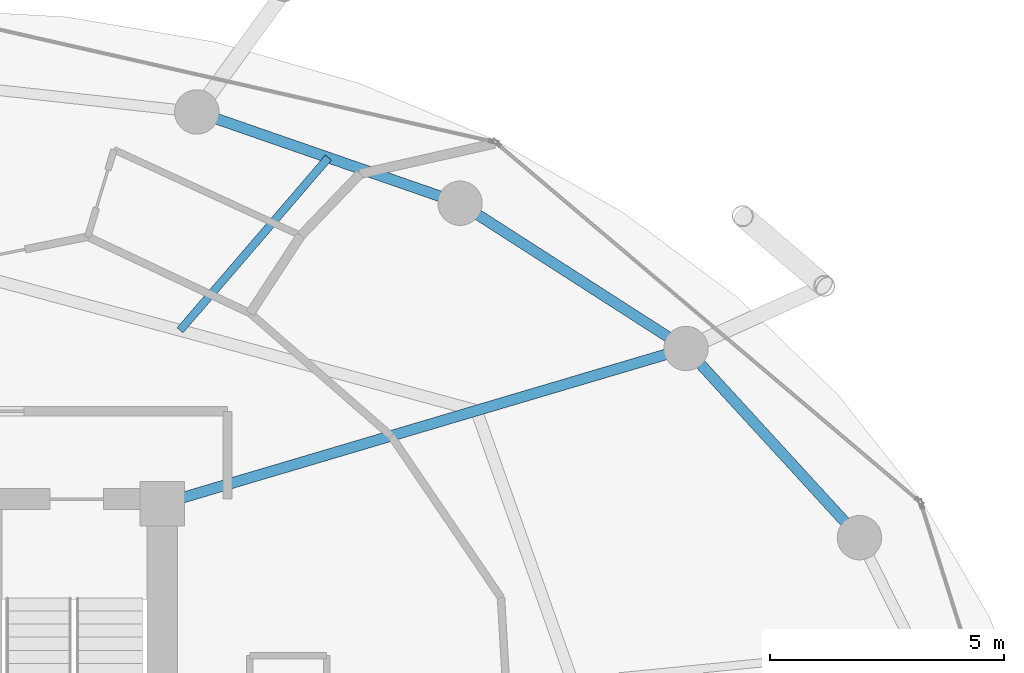
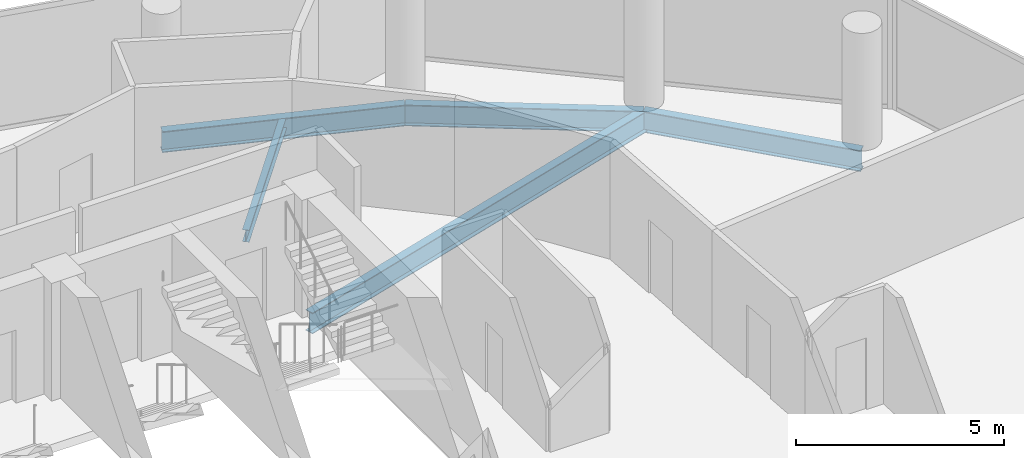
# One storey, part 18 of 26: 5 beams.
"""IFC4 building model written with IfcOpenShell, lengths in metres."""

from ifc_helpers import new_model, si_unit, direction, frame, origin, origin_2d, place, context, subcontext, project, spatial, i_section, extrude, material, material_profile, profile_set, type_object, element, save


model = new_model("IFC4")

# Units and contexts
model_context = context("Model", 3, precision=1e-05, world=origin(), true_north=direction((0.0, 1.0)))
body_context = subcontext(model_context, "Body", "Model", "MODEL_VIEW")
ifc_project = project(units=[si_unit("LENGTHUNIT", "METRE"), si_unit("AREAUNIT", "SQUARE_METRE"), si_unit("VOLUMEUNIT", "CUBIC_METRE"), si_unit("PLANEANGLEUNIT", "RADIAN"), si_unit("MASSUNIT", "GRAM", prefix="KILO")], contexts=[model_context])

# Site, building, storey
site_placement = place(None, origin())
site = spatial("IfcSite", under=ifc_project, at=site_placement, CompositionType="ELEMENT")
building_placement = place(site_placement, origin())
building = spatial("IfcBuilding", under=site, at=building_placement, Name="Nuhasar Tower", CompositionType="ELEMENT")
storey_placement = place(building_placement, frame((0.0, 0.0, 118.25)))
storey = spatial("IfcBuildingStorey", under=building, at=storey_placement, Name="L27", CompositionType="ELEMENT", Elevation=118.25)

# Beams
ifc_material = material(Name="Steel S355", Category="steel")
ifc_material_profile_1 = material_profile(ifc_material, i_section(OverallWidth=0.1708984375, OverallDepth=0.35205078125, WebThickness=0.0068359375, FlangeThickness=0.009765625, at=origin_2d()), Name="W14X30")
ifc_profile_set_1 = profile_set([ifc_material_profile_1], Name="Steel S355")
beam_type_1 = type_object("IfcBeamType", Name="BM-JST-W14X30", PredefinedType="JOIST", material=ifc_profile_set_1)
beam_1_placement = place(storey_placement, frame((44.68408203125, 41.011962890625, -0.426025390625), z_axis=(0.651690621509, 0.758484893612, 0.0), x_axis=(-0.758484893612, 0.651690621509, 0.0)))
element("IfcBeam", 1, at=beam_1_placement, inside=storey, type_object=beam_type_1, Name="L27 Secondary Floor Joist 05", PredefinedType="JOIST", context=body_context, shape_type="SweptSolid", body=[
    extrude(i_section(OverallWidth=0.1708984375, OverallDepth=0.35205078125, WebThickness=0.0068359375, FlangeThickness=0.009765625, at=origin_2d()), origin(), (0.0, 0.0, 1.0), 4.87158203125),
])
ifc_material_profile_2 = material_profile(ifc_material, i_section(OverallWidth=0.22900390625, OverallDepth=0.612060546875, WebThickness=0.011962890625, FlangeThickness=0.01953125, at=origin_2d()), Name="W24X84")
ifc_profile_set_2 = profile_set([ifc_material_profile_2], Name="Steel S355")
beam_type_2 = type_object("IfcBeamType", Name="BM-RAD-W24X84", PredefinedType="BEAM", material=ifc_profile_set_2)
beam_2_placement = place(storey_placement, frame((44.300048828125, 37.300048828125, -0.555908203125), z_axis=(0.958746492721, 0.284262489076, 0.0), x_axis=(-0.284262489076, 0.958746492721, 0.0)))
element("IfcBeam", 2, at=beam_2_placement, inside=storey, type_object=beam_type_2, Name="L27 Radial Floor Girder 05", PredefinedType="BEAM", context=body_context, shape_type="SweptSolid", body=[
    extrude(i_section(OverallWidth=0.22900390625, OverallDepth=0.612060546875, WebThickness=0.011962890625, FlangeThickness=0.01953125, at=origin_2d()), origin(), (0.0, 0.0, 1.0), 11.693359375),
])
ifc_material_profile_3 = material_profile(ifc_material, i_section(OverallWidth=0.22998046875, OverallDepth=0.616943359375, WebThickness=0.01318359375, FlangeThickness=0.022216796875, at=origin_2d()), Name="W24X94")
ifc_profile_set_3 = profile_set([ifc_material_profile_3], Name="Steel S355")
beam_type_3 = type_object("IfcBeamType", Name="BM-RING-W24X94", PredefinedType="SPANDREL", material=ifc_profile_set_3)
beam_3_placement = place(storey_placement, frame((59.221923828125, 36.574951171875, -0.55810546875), z_axis=(-0.675654174897, 0.737218716491, 0.0), x_axis=(-0.737218716491, -0.675654174897, 0.0)))
element("IfcBeam", 3, at=beam_3_placement, inside=storey, type_object=beam_type_3, Name="L27 Perimeter Ring Spandrel 03", PredefinedType="SPANDREL", context=body_context, shape_type="SweptSolid", body=[
    extrude(i_section(OverallWidth=0.22998046875, OverallDepth=0.616943359375, WebThickness=0.01318359375, FlangeThickness=0.022216796875, at=origin_2d()), origin(), (0.0, 0.0, 1.0), 5.492431640625),
])
beam_4_placement = place(storey_placement, frame((55.510986328125, 40.6240234375, -0.55810546875), z_axis=(-0.841327486207, 0.540525726448, 0.0), x_axis=(-0.540525726448, -0.841327486207, 0.0)))
element("IfcBeam", 4, at=beam_4_placement, inside=storey, type_object=beam_type_3, Name="L27 Perimeter Ring Spandrel 04", PredefinedType="SPANDREL", context=body_context, shape_type="SweptSolid", body=[
    extrude(i_section(OverallWidth=0.22998046875, OverallDepth=0.616943359375, WebThickness=0.01318359375, FlangeThickness=0.022216796875, at=origin_2d()), origin(), (0.0, 0.0, 1.0), 5.748046875),
])
beam_5_placement = place(storey_placement, frame((50.675048828125, 43.73095703125, -0.55810546875), z_axis=(-0.944801380051, 0.327643636066, 0.0), x_axis=(-0.327643636066, -0.944801380051, 0.0)))
element("IfcBeam", 5, at=beam_5_placement, inside=storey, type_object=beam_type_3, Name="L27 Perimeter Ring Spandrel 05", PredefinedType="SPANDREL", context=body_context, shape_type="SweptSolid", body=[
    extrude(i_section(OverallWidth=0.22998046875, OverallDepth=0.616943359375, WebThickness=0.01318359375, FlangeThickness=0.022216796875, at=origin_2d()), origin(), (0.0, 0.0, 1.0), 5.961181640625),
])

save(model, "model.ifc")
